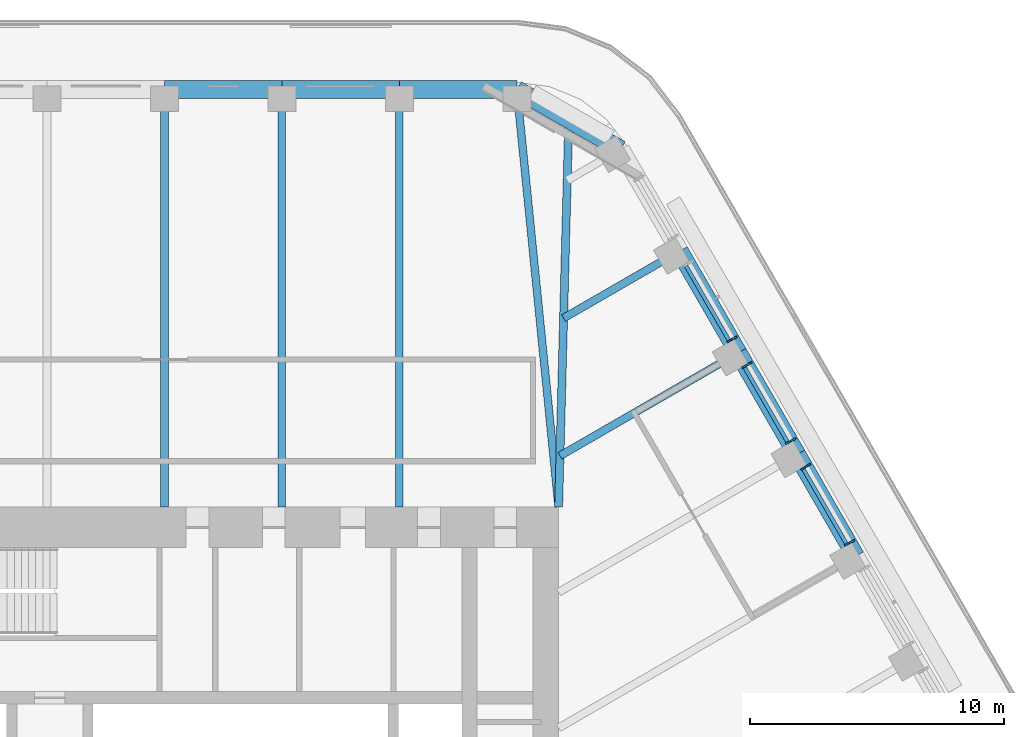
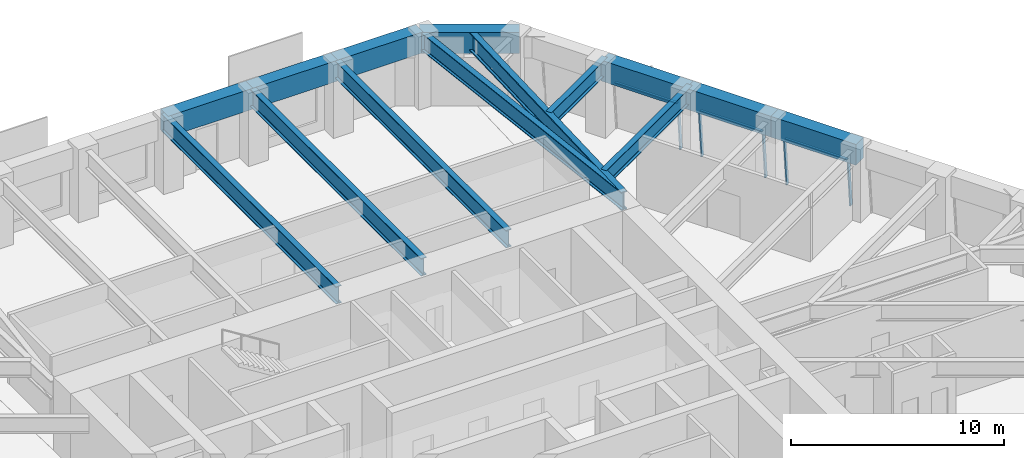
# One storey, part 11 of 20: 14 beams, 8 members, 3 elements without a shape of their own.
"""IFC4 building model written with IfcOpenShell, lengths in metres."""

from ifc_helpers import new_model, si_unit, direction, frame, origin, origin_2d, place, context, subcontext, project, spatial, rectangle, i_section, extrude, material, material_profile, profile_set, type_object, element, aggregate, save


model = new_model("IFC4")

# Units and contexts
model_context = context("Model", 3, precision=1e-05, world=origin(), true_north=direction((0.0, 1.0)))
body_context = subcontext(model_context, "Body", "Model", "MODEL_VIEW")
ifc_project = project(units=[si_unit("LENGTHUNIT", "METRE"), si_unit("AREAUNIT", "SQUARE_METRE"), si_unit("VOLUMEUNIT", "CUBIC_METRE"), si_unit("PLANEANGLEUNIT", "RADIAN"), si_unit("MASSUNIT", "GRAM", prefix="KILO")], contexts=[model_context])

# Site, building, storey
site_placement = place(None, origin())
site = spatial("IfcSite", under=ifc_project, at=site_placement, CompositionType="ELEMENT")
building_placement = place(site_placement, origin())
building = spatial("IfcBuilding", under=site, at=building_placement, Name="Tarfa Lantern Tower", CompositionType="ELEMENT")
storey_placement = place(building_placement, frame((0.0, 0.0, 286.89990234375)))
storey = spatial("IfcBuildingStorey", under=building, at=storey_placement, Name="L65", CompositionType="ELEMENT", Elevation=286.89990234375)

# Curtain wall, members
ifc_material_1 = material(Name="Aluminium framed curtain wall", Category="aluminium")
curtain_wall_type = type_object("IfcCurtainWallType", Name="CW3 CANTED GLAZING HIGH ZONE 2800", PredefinedType="USERDEFINED", material=ifc_material_1)
curtain_wall_1_placement = place(storey_placement, origin())
curtain_wall_1 = element("IfcCurtainWall", 1, at=curtain_wall_1_placement, inside=storey, type_object=curtain_wall_type, Name="CW3 NE L65", ObjectType="CURTAIN WALL", PredefinedType="USERDEFINED")
ifc_material_2 = material(Name="Aluminium mullion", Category="aluminium")
ifc_material_profile_1 = material_profile(ifc_material_2, rectangle(XDim=0.06494140625, YDim=0.199951171875, at=origin_2d()), Name="AL MULLION 65x200")
ifc_profile_set_1 = profile_set([ifc_material_profile_1], Name="Aluminium mullion")
member_type_1 = type_object("IfcMemberType", Name="CWM1 MULLION 65x200", PredefinedType="MULLION", material=ifc_profile_set_1)
member_1_placement = place(storey_placement, frame((27.04638671875, 10.954345703125, 0.0), z_axis=(-0.077032386753, -0.044465143199, 0.996036576854), x_axis=(0.499919672301, -0.866071776036, 0.0)))
member_1 = element("IfcMember", 2, at=member_1_placement, type_object=member_type_1, Name="CW3 mullion 1", PredefinedType="MULLION", context=body_context, shape_type="SweptSolid", body=[
    extrude(rectangle(XDim=0.06494140625, YDim=0.199951171875, at=origin_2d()), origin(), (0.0, 0.0, 1.0), 2.811279296875),
])
member_2_placement = place(storey_placement, frame((25.3193359375, 13.945556640625, 0.0), z_axis=(-0.077032386753, -0.044465143199, 0.996036576854), x_axis=(0.499919672301, -0.866071776036, 0.0)))
member_2 = element("IfcMember", 3, at=member_2_placement, type_object=member_type_1, Name="CW3 mullion 2", PredefinedType="MULLION", context=body_context, shape_type="SweptSolid", body=[
    extrude(rectangle(XDim=0.06494140625, YDim=0.199951171875, at=origin_2d()), origin(), (0.0, 0.0, 1.0), 2.811279296875),
])

curtain_wall_2_placement = place(storey_placement, origin())
curtain_wall_2 = element("IfcCurtainWall", 4, at=curtain_wall_2_placement, inside=storey, type_object=curtain_wall_type, Name="CW3 NE L65", ObjectType="CURTAIN WALL", PredefinedType="USERDEFINED")
member_3_placement = place(storey_placement, frame((24.73681640625, 14.954345703125, 0.0), z_axis=(-0.077032386753, -0.044465143199, 0.996036576854), x_axis=(0.499919672301, -0.866071776036, 0.0)))
member_3 = element("IfcMember", 5, at=member_3_placement, type_object=member_type_1, Name="CW3 mullion 1", PredefinedType="MULLION", context=body_context, shape_type="SweptSolid", body=[
    extrude(rectangle(XDim=0.06494140625, YDim=0.199951171875, at=origin_2d()), origin(), (0.0, 0.0, 1.0), 2.811279296875),
])
member_4_placement = place(storey_placement, frame((23.010009765625, 17.945556640625, 0.0), z_axis=(-0.077032386753, -0.044465143199, 0.996036576854), x_axis=(0.499919672301, -0.866071776036, 0.0)))
member_4 = element("IfcMember", 6, at=member_4_placement, type_object=member_type_1, Name="CW3 mullion 2", PredefinedType="MULLION", context=body_context, shape_type="SweptSolid", body=[
    extrude(rectangle(XDim=0.06494140625, YDim=0.199951171875, at=origin_2d()), origin(), (0.0, 0.0, 1.0), 2.811279296875),
])

# Curtain wall, member
curtain_wall_3_placement = place(storey_placement, origin())
curtain_wall_3 = element("IfcCurtainWall", 7, at=curtain_wall_3_placement, inside=storey, type_object=curtain_wall_type, Name="CW3 NE L65", ObjectType="CURTAIN WALL", PredefinedType="USERDEFINED")
member_5_placement = place(storey_placement, frame((22.427490234375, 18.954345703125, 0.0), z_axis=(-0.077032386753, -0.044465143199, 0.996036576854), x_axis=(0.499919672301, -0.866071776036, 0.0)))
member_5 = element("IfcMember", 8, at=member_5_placement, type_object=member_type_1, Name="CW3 mullion 1", PredefinedType="MULLION", context=body_context, shape_type="SweptSolid", body=[
    extrude(rectangle(XDim=0.06494140625, YDim=0.199951171875, at=origin_2d()), origin(), (0.0, 0.0, 1.0), 2.811279296875),
])

# Member
ifc_material_3 = material(Name="Aluminium transom", Category="aluminium")
ifc_material_profile_2 = material_profile(ifc_material_3, rectangle(XDim=0.14990234375, YDim=0.06494140625, at=origin_2d()), Name="AL TRANSOM 150x65")
ifc_profile_set_2 = profile_set([ifc_material_profile_2], Name="Aluminium transom")
member_type_2 = type_object("IfcMemberType", Name="CWT1 TRANSOM 150x65", PredefinedType="USERDEFINED", material=ifc_profile_set_2)
member_6_placement = place(storey_placement, frame((26.816162109375, 10.859130859375, 2.767578125), z_axis=(-0.500036330578, 0.866004427299, 0.0), x_axis=(-0.866004427299, -0.500036330578, 0.0)))
member_6 = element("IfcMember", 9, at=member_6_placement, type_object=member_type_2, Name="CW3 transom 1.2", ObjectType="TRANSOM", PredefinedType="USERDEFINED", context=body_context, shape_type="SweptSolid", body=[
    extrude(rectangle(XDim=0.14990234375, YDim=0.06494140625, at=origin_2d()), origin(), (0.0, 0.0, 1.0), 3.388916015625),
])

aggregate(curtain_wall_1, [member_1, member_2, member_6])

member_7_placement = place(storey_placement, frame((24.506591796875, 14.859130859375, 2.767578125), z_axis=(-0.499982299553, 0.866035622901, 0.0), x_axis=(-0.866035622901, -0.499982299553, 0.0)))
member_7 = element("IfcMember", 10, at=member_7_placement, type_object=member_type_2, Name="CW3 transom 1.2", ObjectType="TRANSOM", PredefinedType="USERDEFINED", context=body_context, shape_type="SweptSolid", body=[
    extrude(rectangle(XDim=0.14990234375, YDim=0.06494140625, at=origin_2d()), origin(), (0.0, 0.0, 1.0), 3.388671875),
])

aggregate(curtain_wall_2, [member_3, member_4, member_7])

member_8_placement = place(storey_placement, frame((22.197265625, 18.859130859375, 2.767578125), z_axis=(-0.499982299553, 0.866035622901, 0.0), x_axis=(-0.866035622901, -0.499982299553, 0.0)))
member_8 = element("IfcMember", 11, at=member_8_placement, type_object=member_type_2, Name="CW3 transom 1.2", ObjectType="TRANSOM", PredefinedType="USERDEFINED", context=body_context, shape_type="SweptSolid", body=[
    extrude(rectangle(XDim=0.14990234375, YDim=0.06494140625, at=origin_2d()), origin(), (0.0, 0.0, 1.0), 3.388671875),
])

aggregate(curtain_wall_3, [member_5, member_8])

# Beams
ifc_material_4 = material(Name="Concrete C80/95", Category="concrete")
ifc_material_profile_3 = material_profile(ifc_material_4, rectangle(XDim=0.699951171875, YDim=1.199951171875, at=origin_2d()), Name="RC 700x1200")
ifc_profile_set_3 = profile_set([ifc_material_profile_3], Name="Concrete C80/95")
beam_type_1 = type_object("IfcBeamType", Name="EB3 RC 700x1200", PredefinedType="SPANDREL", material=ifc_profile_set_3)
beam_1_placement = place(storey_placement, frame((27.181640625, 10.360107421875, 3.400146484375), z_axis=(-0.499987836815, 0.866032426089, 0.0), x_axis=(-0.866032426089, -0.499987836815, 0.0)))
element("IfcBeam", 12, at=beam_1_placement, inside=storey, type_object=beam_type_1, Name="Edge beam NE2", PredefinedType="SPANDREL", context=body_context, shape_type="SweptSolid", body=[
    extrude(rectangle(XDim=0.699951171875, YDim=1.199951171875, at=origin_2d()), origin(), (0.0, 0.0, 1.0), 4.61865234375),
])
beam_2_placement = place(storey_placement, frame((24.872314453125, 14.360107421875, 3.400146484375), z_axis=(-0.500027479704, 0.866009537788, 0.0), x_axis=(-0.866009537788, -0.500027479704, 0.0)))
element("IfcBeam", 13, at=beam_2_placement, inside=storey, type_object=beam_type_1, Name="Edge beam NE3", PredefinedType="SPANDREL", context=body_context, shape_type="SweptSolid", body=[
    extrude(rectangle(XDim=0.699951171875, YDim=1.199951171875, at=origin_2d()), origin(), (0.0, 0.0, 1.0), 4.618896484375),
])
beam_3_placement = place(storey_placement, frame((22.562744140625, 18.360107421875, 3.400146484375), z_axis=(-0.499987836815, 0.866032426089, 0.0), x_axis=(-0.866032426089, -0.499987836815, 0.0)))
element("IfcBeam", 14, at=beam_3_placement, inside=storey, type_object=beam_type_1, Name="Edge beam NE4", PredefinedType="SPANDREL", context=body_context, shape_type="SweptSolid", body=[
    extrude(rectangle(XDim=0.699951171875, YDim=1.199951171875, at=origin_2d()), origin(), (0.0, 0.0, 1.0), 4.61865234375),
])
beam_4_placement = place(storey_placement, frame((17.944091796875, 26.360107421875, 3.400146484375), z_axis=(-0.866038294681, 0.499977671647, 0.0), x_axis=(-0.499977671647, -0.866038294681, 0.0)))
element("IfcBeam", 15, at=beam_4_placement, inside=storey, type_object=beam_type_1, Name="Edge beam NE6", PredefinedType="SPANDREL", context=body_context, shape_type="SweptSolid", body=[
    extrude(rectangle(XDim=0.699951171875, YDim=1.199951171875, at=origin_2d()), origin(), (0.0, 0.0, 1.0), 4.719970703125),
])
beam_5_placement = place(storey_placement, frame((13.8564453125, 28.719970703125, 3.400146484375), z_axis=(-1.0, 0.0, 0.0), x_axis=(0.0, -1.0, 0.0)))
element("IfcBeam", 16, at=beam_5_placement, inside=storey, type_object=beam_type_1, Name="Edge beam N0", PredefinedType="SPANDREL", context=body_context, shape_type="SweptSolid", body=[
    extrude(rectangle(XDim=0.699951171875, YDim=1.199951171875, at=origin_2d()), origin(), (0.0, 0.0, 1.0), 4.618896484375),
])
beam_6_placement = place(storey_placement, frame((9.237548828125, 28.719970703125, 3.400146484375), z_axis=(-1.0, 0.0, 0.0), x_axis=(0.0, -1.0, 0.0)))
element("IfcBeam", 17, at=beam_6_placement, inside=storey, type_object=beam_type_1, Name="Edge beam N1", PredefinedType="SPANDREL", context=body_context, shape_type="SweptSolid", body=[
    extrude(rectangle(XDim=0.699951171875, YDim=1.199951171875, at=origin_2d()), origin(), (0.0, 0.0, 1.0), 4.61865234375),
])
beam_7_placement = place(storey_placement, frame((4.618896484375, 28.719970703125, 3.400146484375), z_axis=(-1.0, 0.0, 0.0), x_axis=(0.0, -1.0, 0.0)))
element("IfcBeam", 18, at=beam_7_placement, inside=storey, type_object=beam_type_1, Name="Edge beam N2", PredefinedType="SPANDREL", context=body_context, shape_type="SweptSolid", body=[
    extrude(rectangle(XDim=0.699951171875, YDim=1.199951171875, at=origin_2d()), origin(), (0.0, 0.0, 1.0), 4.618896484375),
])
ifc_material_5 = material(Name="Steel S460M", Category="steel")
ifc_material_profile_4 = material_profile(ifc_material_5, i_section(OverallWidth=0.302001953125, OverallDepth=1.008056640625, WebThickness=0.02099609375, FlangeThickness=0.0400390625, FilletRadius=0.030029296875, at=origin_2d()), Name="UB1016x305x349")
ifc_profile_set_4 = profile_set([ifc_material_profile_4], Name="Steel S460M")
beam_type_2 = type_object("IfcBeamType", Name="UB1016x305x349", PredefinedType="BEAM", material=ifc_profile_set_4)
beam_8_placement = place(storey_placement, frame((13.8564453125, 28.719970703125, 3.49609375), z_axis=(0.099597466746, -0.995027810977, 0.0), x_axis=(0.995027810977, 0.099597466746, 0.0)))
element("IfcBeam", 19, at=beam_8_placement, inside=storey, type_object=beam_type_2, Name="Floor beam N0", PredefinedType="BEAM", context=body_context, shape_type="SweptSolid", body=[
    extrude(i_section(OverallWidth=0.302001953125, OverallDepth=1.008056640625, WebThickness=0.02099609375, FlangeThickness=0.0400390625, FilletRadius=0.030029296875, at=origin_2d()), origin(), (0.0, 0.0, 1.0), 16.501953125),
])
for number, where, z_axis, x_axis, name in (
    (20, (9.237548828125, 28.719970703125, 3.49609375), (0.0, -1.0, 0.0), (1.0, 0.0, 0.0), "Floor beam N1"),
    (21, (4.618896484375, 28.719970703125, 3.49609375), (0.0, -1.0, 0.0), (1.0, 0.0, 0.0), "Floor beam N2"),
    (22, (0.0, 28.719970703125, 3.49609375), (0.0, -1.0, 0.0), (1.0, 0.0, 0.0), "Floor beam N3"),
):
    element("IfcBeam", number, at=place(storey_placement, frame(where, z_axis=z_axis, x_axis=x_axis)), inside=storey, type_object=beam_type_2, Name=name, PredefinedType="BEAM", context=body_context, shape_type="SweptSolid", body=[
        extrude(i_section(OverallWidth=0.302001953125, OverallDepth=1.008056640625, WebThickness=0.02099609375, FlangeThickness=0.0400390625, FilletRadius=0.030029296875, at=origin_2d()), origin(), (0.0, 0.0, 1.0), 16.419921875),
    ])
ifc_material_profile_5 = material_profile(ifc_material_5, i_section(OverallWidth=0.314208984375, OverallDepth=1.055908203125, WebThickness=0.035888671875, FlangeThickness=0.06396484375, FilletRadius=0.030029296875, at=origin_2d()), Name="UB1016x305x584")
ifc_profile_set_5 = profile_set([ifc_material_profile_5], Name="Steel S460M")
beam_type_3 = type_object("IfcBeamType", Name="UB1016x305x584", PredefinedType="BEAM", material=ifc_profile_set_5)
beam_9_placement = place(storey_placement, frame((15.5, 12.300048828125, 3.47216796875), z_axis=(0.026247301989, 0.999655480222, 0.0), x_axis=(-0.999655480222, 0.026247301989, 0.0)))
element("IfcBeam", 23, at=beam_9_placement, inside=storey, type_object=beam_type_3, Name="Hip girder NE", PredefinedType="BEAM", context=body_context, shape_type="SweptSolid", body=[
    extrude(i_section(OverallWidth=0.314208984375, OverallDepth=1.055908203125, WebThickness=0.035888671875, FlangeThickness=0.06396484375, FilletRadius=0.030029296875, at=origin_2d()), origin(), (0.0, 0.0, 1.0), 15.245361328125),
])
ifc_material_profile_6 = material_profile(ifc_material_5, i_section(OverallWidth=0.305419921875, OverallDepth=0.91845703125, WebThickness=0.017333984375, FlangeThickness=0.02783203125, FilletRadius=0.01904296875, at=origin_2d()), Name="UB914x305x253")
ifc_profile_set_6 = profile_set([ifc_material_profile_6], Name="Steel S460M")
beam_type_4 = type_object("IfcBeamType", Name="UB914x305x253", PredefinedType="BEAM", material=ifc_profile_set_6)
beam_10_placement = place(storey_placement, frame((22.562744140625, 18.360107421875, 3.541015625), z_axis=(-0.866010787764, -0.500025314835, 0.0), x_axis=(0.500025314835, -0.866010787764, 0.0)))
element("IfcBeam", 24, at=beam_10_placement, inside=storey, type_object=beam_type_4, Name="Floor beam NE4", PredefinedType="BEAM", context=body_context, shape_type="SweptSolid", body=[
    extrude(i_section(OverallWidth=0.305419921875, OverallDepth=0.91845703125, WebThickness=0.017333984375, FlangeThickness=0.02783203125, FilletRadius=0.01904296875, at=origin_2d()), origin(), (0.0, 0.0, 1.0), 8.09423828125),
])
beam_11_placement = place(storey_placement, frame((20.25341796875, 22.360107421875, 3.541015625), z_axis=(-0.86601951648, -0.500010196972, 0.0), x_axis=(0.500010196972, -0.86601951648, 0.0)))
element("IfcBeam", 25, at=beam_11_placement, inside=storey, type_object=beam_type_4, Name="Floor beam NE5", PredefinedType="BEAM", context=body_context, shape_type="SweptSolid", body=[
    extrude(i_section(OverallWidth=0.305419921875, OverallDepth=0.91845703125, WebThickness=0.017333984375, FlangeThickness=0.02783203125, FilletRadius=0.01904296875, at=origin_2d()), origin(), (0.0, 0.0, 1.0), 5.263671875),
])

save(model, "model.ifc")
